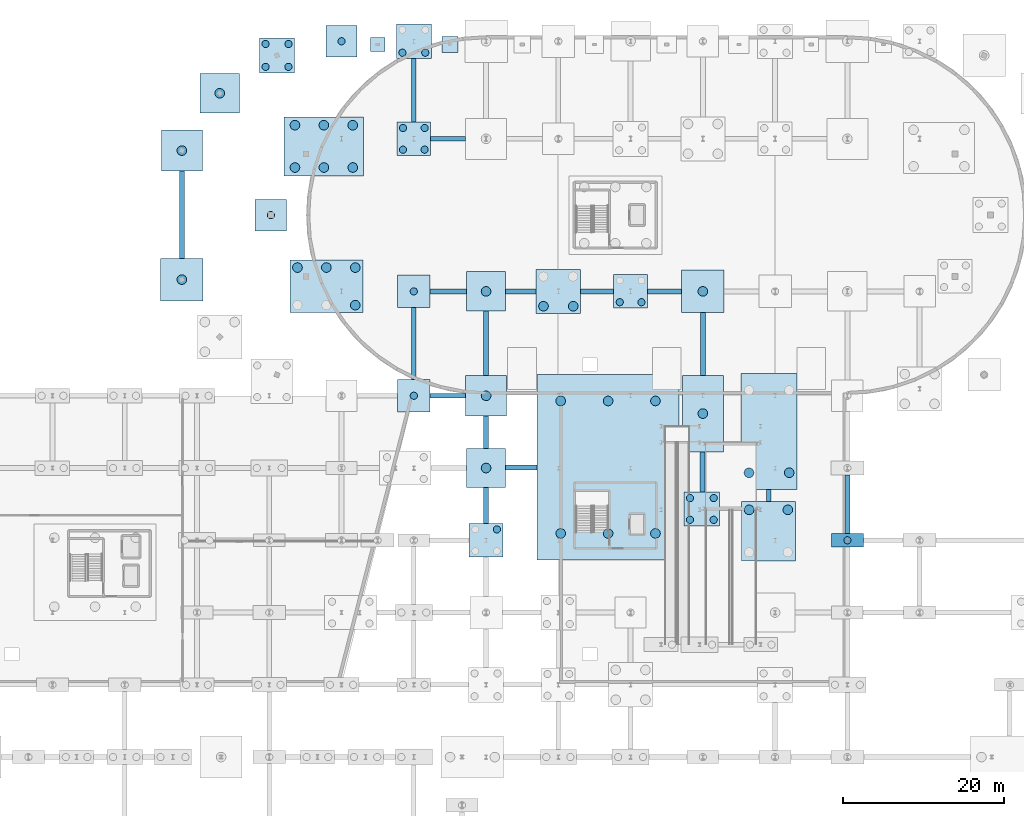
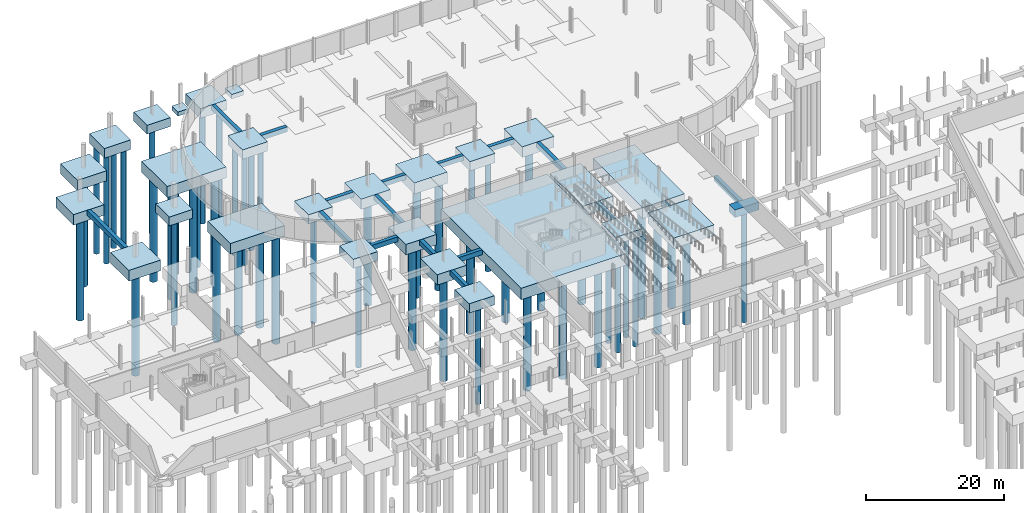
# One storey, part 5 of 42: 52 piles, 44 footings.
"""IFC4 building model written with IfcOpenShell, lengths in metres."""

from ifc_helpers import new_model, si_unit, direction, frame, origin, origin_2d, place, context, subcontext, project, spatial, rectangle, circle, extrude, material, material_profile, profile_set, type_object, element, save


model = new_model("IFC4")

# Units and contexts
model_context = context("Model", 3, precision=1e-05, world=origin(), true_north=direction((0.0, 1.0)))
body_context = subcontext(model_context, "Body", "Model", "MODEL_VIEW")
ifc_project = project(units=[si_unit("LENGTHUNIT", "METRE"), si_unit("AREAUNIT", "SQUARE_METRE"), si_unit("VOLUMEUNIT", "CUBIC_METRE"), si_unit("PLANEANGLEUNIT", "RADIAN"), si_unit("MASSUNIT", "GRAM", prefix="KILO")], contexts=[model_context])

# Site, building, storey
site_placement = place(None, origin())
site = spatial("IfcSite", under=ifc_project, at=site_placement, CompositionType="ELEMENT")
building_placement = place(site_placement, origin())
building = spatial("IfcBuilding", under=site, at=building_placement, Name="Deido Ridge Mobility Hub", CompositionType="ELEMENT")
storey_placement = place(building_placement, frame((0.0, 0.0, -4.199951171875)))
storey = spatial("IfcBuildingStorey", under=building, at=storey_placement, Name="B1", CompositionType="ELEMENT", Elevation=-4.199951171875)

# Footings
ifc_material = material(Name="Concrete C40/50", Category="concrete")
footing_type_1 = type_object("IfcFootingType", Name="FTG-PC-3900X3900X1550", PredefinedType="PILE_CAP", material=ifc_material)
for number, where, z_axis, x_axis, name in (
    (1, (45.0, 125.14990234375, -1.55029296875), (0.0, 0.0, 1.0), (1.0, 0.0, 0.0), "Pile cap PC12"),
    (2, (36.199951171875, 103.5, -1.55029296875), (0.0, 0.0, 1.0), (1.0, 0.0, 0.0), "Pile cap PC12"),
):
    element("IfcFooting", number, at=place(storey_placement, frame(where, z_axis=z_axis, x_axis=x_axis)), inside=storey, type_object=footing_type_1, Name=name, PredefinedType="PILE_CAP", context=body_context, shape_type="SweptSolid", body=[
        extrude(rectangle(XDim=3.89990234375, YDim=3.89990234375, at=origin_2d()), origin(), (0.0, 0.0, 1.0), 1.550048828125),
    ])
footing_type_2 = type_object("IfcFootingType", Name="FTG-PC-4000X1650X1350", PredefinedType="PILE_CAP", material=ifc_material)
footing_1_placement = place(storey_placement, frame((108.0, 63.0, -1.35009765625), z_axis=(0.0, 0.0, 1.0), x_axis=(1.0, 0.0, 0.0)))
element("IfcFooting", 3, at=footing_1_placement, inside=storey, type_object=footing_type_2, Name="Pile cap PC2", PredefinedType="PILE_CAP", context=body_context, shape_type="SweptSolid", body=[
    extrude(rectangle(XDim=4.0, YDim=1.64990234375, at=origin_2d()), origin(), (0.0, 0.0, 1.0), 1.35009765625),
])
footing_type_3 = type_object("IfcFootingType", Name="FTG-PC-4050X4050X1600", PredefinedType="PILE_CAP", material=ifc_material)
for number, where, z_axis, x_axis, name in (
    (4, (54.0, 81.0, -1.60009765625), (0.0, 0.0, 1.0), (1.0, 0.0, 0.0), "Pile cap PC13"),
    (5, (54.0, 94.0, -1.60009765625), (0.0, 0.0, 1.0), (1.0, 0.0, 0.0), "Pile cap PC13"),
):
    element("IfcFooting", number, at=place(storey_placement, frame(where, z_axis=z_axis, x_axis=x_axis)), inside=storey, type_object=footing_type_3, Name=name, PredefinedType="PILE_CAP", context=body_context, shape_type="SweptSolid", body=[
        extrude(rectangle(XDim=4.050048828125, YDim=4.050048828125, at=origin_2d()), origin(), (0.0, 0.0, 1.0), 1.60009765625),
    ])
footing_type_4 = type_object("IfcFootingType", Name="FTG-PC-4200X4200X1650", PredefinedType="PILE_CAP", material=ifc_material)
for number, where, z_axis, x_axis, name in (
    (6, (63.0, 63.0, -1.64990234375), (0.0, 0.0, 1.0), (1.0, 0.0, 0.0), "Pile cap PC14"),
    (7, (54.0, 113.0, -1.64990234375), (0.0, 0.0, 1.0), (1.0, 0.0, 0.0), "Pile cap PC14"),
    (8, (81.0, 94.0, -1.64990234375), (0.0, 0.0, 1.0), (1.0, 0.0, 0.0), "Pile cap PC14"),
):
    element("IfcFooting", number, at=place(storey_placement, frame(where, z_axis=z_axis, x_axis=x_axis)), inside=storey, type_object=footing_type_4, Name=name, PredefinedType="PILE_CAP", context=body_context, shape_type="SweptSolid", body=[
        extrude(rectangle(XDim=4.199951171875, YDim=4.199951171875, at=origin_2d()), origin(), (0.0, 0.0, 1.0), 1.64990234375),
    ])
footing_type_5 = type_object("IfcFootingType", Name="FTG-PC-4350X4350X1700", PredefinedType="PILE_CAP", material=ifc_material)
for number, where, z_axis, x_axis, name in (
    (9, (54.0, 125.14990234375, -1.7001953125), (0.0, 0.0, 1.0), (1.0, 0.0, 0.0), "Pile cap PC15"),
    (10, (36.964599609375, 123.38818359375, -1.7001953125), (0.0, 0.0, 1.0), (1.0, 0.0, 0.0), "Pile cap PC15"),
):
    element("IfcFooting", number, at=place(storey_placement, frame(where, z_axis=z_axis, x_axis=x_axis)), inside=storey, type_object=footing_type_5, Name=name, PredefinedType="PILE_CAP", context=body_context, shape_type="SweptSolid", body=[
        extrude(rectangle(XDim=4.35009765625, YDim=4.35009765625, at=origin_2d()), origin(), (0.0, 0.0, 1.0), 1.699951171875),
    ])
footing_type_6 = type_object("IfcFootingType", Name="FTG-PC-4450X4200X1300", PredefinedType="PILE_CAP", material=ifc_material)
footing_2_placement = place(storey_placement, frame((89.875, 66.89990234375, -1.30029296875), z_axis=(0.0, 0.0, 1.0), x_axis=(1.0, 0.0, 0.0)))
element("IfcFooting", 11, at=footing_2_placement, inside=storey, type_object=footing_type_6, Name="Pile cap PC20", PredefinedType="PILE_CAP", context=body_context, shape_type="SweptSolid", body=[
    extrude(rectangle(XDim=4.449951171875, YDim=4.199951171875, at=origin_2d()), origin(), (0.0, 0.0, 1.0), 1.300048828125),
])
footing_type_7 = type_object("IfcFootingType", Name="FTG-PC-4900X4900X1800", PredefinedType="PILE_CAP", material=ifc_material)
for number, where, z_axis, x_axis, name in (
    (12, (63.0, 72.0, -1.80029296875), (0.0, 0.0, 1.0), (1.0, 0.0, 0.0), "Pile cap PC17"),
    (13, (63.0, 94.0, -1.80029296875), (0.0, 0.0, 1.0), (1.0, 0.0, 0.0), "Pile cap PC17"),
    (14, (29.83251953125, 118.66748046875, -1.80029296875), (0.0, 0.0, 1.0), (1.0, 0.0, 0.0), "Pile cap PC17"),
):
    element("IfcFooting", number, at=place(storey_placement, frame(where, z_axis=z_axis, x_axis=x_axis)), inside=storey, type_object=footing_type_7, Name=name, PredefinedType="PILE_CAP", context=body_context, shape_type="SweptSolid", body=[
        extrude(rectangle(XDim=4.89990234375, YDim=4.89990234375, at=origin_2d()), origin(), (0.0, 0.0, 1.0), 1.800048828125),
    ])
footing_type_8 = type_object("IfcFootingType", Name="FTG-PC-5100X5100X1850", PredefinedType="PILE_CAP", material=ifc_material)
for number, where, z_axis, x_axis, name in (
    (15, (63.0, 81.0, -1.85009765625), (0.0, 0.0, 1.0), (1.0, 0.0, 0.0), "Pile cap PC22"),
    (16, (25.11181640625, 111.535400390625, -1.85009765625), (0.0, 0.0, 1.0), (1.0, 0.0, 0.0), "Pile cap PC22"),
):
    element("IfcFooting", number, at=place(storey_placement, frame(where, z_axis=z_axis, x_axis=x_axis)), inside=storey, type_object=footing_type_8, Name=name, PredefinedType="PILE_CAP", context=body_context, shape_type="SweptSolid", body=[
        extrude(rectangle(XDim=5.10009765625, YDim=5.10009765625, at=origin_2d()), origin(), (0.0, 0.0, 1.0), 1.85009765625),
    ])
footing_type_9 = type_object("IfcFootingType", Name="FTG-PC-5100X9537X1850", PredefinedType="PILE_CAP", material=ifc_material)
footing_3_placement = place(storey_placement, frame((90.0, 78.78125, -1.85009765625), z_axis=(0.0, 0.0, 1.0), x_axis=(1.0, 0.0, 0.0)))
element("IfcFooting", 17, at=footing_3_placement, inside=storey, type_object=footing_type_9, Name="Pile cap PC21", PredefinedType="PILE_CAP", context=body_context, shape_type="SweptSolid", body=[
    extrude(rectangle(XDim=5.10009765625, YDim=9.537109375, at=origin_2d()), origin(), (0.0, 0.0, 1.0), 1.85009765625),
])
footing_type_10 = type_object("IfcFootingType", Name="FTG-PC-5300X5300X1900", PredefinedType="PILE_CAP", material=ifc_material)
for number, where, z_axis, x_axis, name in (
    (18, (90.0, 94.0, -1.89990234375), (0.0, 0.0, 1.0), (1.0, 0.0, 0.0), "Pile cap PC25"),
    (19, (25.11181640625, 95.464599609375, -1.89990234375), (0.0, 0.0, 1.0), (1.0, 0.0, 0.0), "Pile cap PC25"),
):
    element("IfcFooting", number, at=place(storey_placement, frame(where, z_axis=z_axis, x_axis=x_axis)), inside=storey, type_object=footing_type_10, Name=name, PredefinedType="PILE_CAP", context=body_context, shape_type="SweptSolid", body=[
        extrude(rectangle(XDim=5.300048828125, YDim=5.300048828125, at=origin_2d()), origin(), (0.0, 0.0, 1.0), 1.89990234375),
    ])
footing_type_11 = type_object("IfcFootingType", Name="FTG-PC-5500X5500X1950", PredefinedType="PILE_CAP", material=ifc_material)
footing_4_placement = place(storey_placement, frame((72.0, 94.0, -1.9501953125), z_axis=(0.0, 0.0, 1.0), x_axis=(1.0, 0.0, 0.0)))
element("IfcFooting", 20, at=footing_4_placement, inside=storey, type_object=footing_type_11, Name="Pile cap PC16", PredefinedType="PILE_CAP", context=body_context, shape_type="SweptSolid", body=[
    extrude(rectangle(XDim=5.5, YDim=5.5, at=origin_2d()), origin(), (0.0, 0.0, 1.0), 1.949951171875),
])
footing_type_12 = type_object("IfcFootingType", Name="FTG-PC-6750X7400X1850", PredefinedType="PILE_CAP", material=ifc_material)
footing_5_placement = place(storey_placement, frame((98.175048828125, 64.14990234375, -1.85009765625), z_axis=(0.0, 0.0, 1.0), x_axis=(1.0, 0.0, 0.0)))
element("IfcFooting", 21, at=footing_5_placement, inside=storey, type_object=footing_type_12, Name="Pile cap PC18", PredefinedType="PILE_CAP", context=body_context, shape_type="SweptSolid", body=[
    extrude(rectangle(XDim=6.75, YDim=7.39990234375, at=origin_2d()), origin(), (0.0, 0.0, 1.0), 1.85009765625),
])
footing_type_13 = type_object("IfcFootingType", Name="FTG-PC-7000X14400X1950", PredefinedType="PILE_CAP", material=ifc_material)
footing_6_placement = place(storey_placement, frame((98.25, 76.550048828125, -1.9501953125), z_axis=(0.0, 0.0, 1.0), x_axis=(1.0, 0.0, 0.0)))
element("IfcFooting", 22, at=footing_6_placement, inside=storey, type_object=footing_type_13, Name="Pile cap PC19", PredefinedType="PILE_CAP", context=body_context, shape_type="SweptSolid", body=[
    extrude(rectangle(XDim=7.0, YDim=14.39990234375, at=origin_2d()), origin(), (0.0, 0.0, 1.0), 1.949951171875),
])
footing_type_14 = type_object("IfcFootingType", Name="FTG-PC-9075X6554X1900", PredefinedType="PILE_CAP", material=ifc_material)
footing_7_placement = place(storey_placement, frame((43.112548828125, 94.626953125, -1.89990234375), z_axis=(0.0, 0.0, 1.0), x_axis=(1.0, 0.0, 0.0)))
element("IfcFooting", 23, at=footing_7_placement, inside=storey, type_object=footing_type_14, Name="Pile cap PC23", PredefinedType="PILE_CAP", context=body_context, shape_type="SweptSolid", body=[
    extrude(rectangle(XDim=9.074951171875, YDim=6.553955078125, at=origin_2d()), origin(), (0.0, 0.0, 1.0), 1.89990234375),
])
footing_type_15 = type_object("IfcFootingType", Name="FTG-PC-9900X7379X1950", PredefinedType="PILE_CAP", material=ifc_material)
footing_8_placement = place(storey_placement, frame((42.800048828125, 112.060546875, -1.9501953125), z_axis=(0.0, 0.0, 1.0), x_axis=(1.0, 0.0, 0.0)))
element("IfcFooting", 24, at=footing_8_placement, inside=storey, type_object=footing_type_15, Name="Pile cap PC24", PredefinedType="PILE_CAP", context=body_context, shape_type="SweptSolid", body=[
    extrude(rectangle(XDim=9.89990234375, YDim=7.37890625, at=origin_2d()), origin(), (0.0, 0.0, 1.0), 1.949951171875),
])
footing_type_16 = type_object("IfcFootingType", Name="FTG-PC-C4", PredefinedType="PILE_CAP", material=ifc_material)
footing_9_placement = place(storey_placement, frame((78.199951171875, 72.10009765625, -2.05029296875), z_axis=(0.0, 0.0, 1.0), x_axis=(1.0, 0.0, 0.0)))
element("IfcFooting", 25, at=footing_9_placement, inside=storey, type_object=footing_type_16, Name="Pile cap PC-C4", PredefinedType="PILE_CAP", context=body_context, shape_type="SweptSolid", body=[
    extrude(rectangle(XDim=17.699951171875, YDim=23.10009765625, at=origin_2d()), origin(), (0.0, 0.0, 1.0), 2.050048828125),
])
footing_type_17 = type_object("IfcFootingType", Name="FTG-PF-1800X1800X700", PredefinedType="PAD_FOOTING", material=ifc_material)
footing_10_placement = place(storey_placement, frame((49.5, 124.75, -0.7001953125), z_axis=(0.0, 0.0, 1.0), x_axis=(1.0, 0.0, 0.0)))
element("IfcFooting", 26, at=footing_10_placement, inside=storey, type_object=footing_type_17, Name="Pad footing PF42", PredefinedType="PAD_FOOTING", context=body_context, shape_type="SweptSolid", body=[
    extrude(rectangle(XDim=1.800048828125, YDim=1.800048828125, at=origin_2d()), origin(), (0.0, 0.0, 1.0), 0.699951171875),
])
footing_type_18 = type_object("IfcFootingType", Name="FTG-PF-1950X1950X750", PredefinedType="PAD_FOOTING", material=ifc_material)
footing_11_placement = place(storey_placement, frame((58.5, 124.75, -0.75), z_axis=(0.0, 0.0, 1.0), x_axis=(1.0, 0.0, 0.0)))
element("IfcFooting", 27, at=footing_11_placement, inside=storey, type_object=footing_type_18, Name="Pad footing PF43", PredefinedType="PAD_FOOTING", context=body_context, shape_type="SweptSolid", body=[
    extrude(rectangle(XDim=1.949951171875, YDim=1.949951171875, at=origin_2d()), origin(), (0.0, 0.0, 1.0), 0.75),
])
ifc_material_profile_1 = material_profile(ifc_material, rectangle(XDim=0.60009765625, YDim=0.85009765625, at=origin_2d()), Name="RC GB 600x850")
ifc_profile_set_1 = profile_set([ifc_material_profile_1], Name="Concrete C40/50")
footing_type_19 = type_object("IfcFootingType", Name="GB-RC600X850", PredefinedType="FOOTING_BEAM", material=ifc_profile_set_1)
footing_12_placement = place(storey_placement, frame((65.449951171875, 72.050048828125, -0.425048828125), z_axis=(1.0, 0.0, 0.0), x_axis=(0.0, 1.0, 0.0)))
element("IfcFooting", 28, at=footing_12_placement, inside=storey, type_object=footing_type_19, Name="Ground beam GB1", PredefinedType="FOOTING_BEAM", context=body_context, shape_type="SweptSolid", body=[
    extrude(rectangle(XDim=0.60009765625, YDim=0.85009765625, at=origin_2d()), origin(), (0.0, 0.0, 1.0), 3.900146484375),
])
footing_13_placement = place(storey_placement, frame((56.02490234375, 81.0, -0.425048828125), z_axis=(1.0, 0.0, 0.0), x_axis=(0.0, 1.0, 0.0)))
element("IfcFooting", 29, at=footing_13_placement, inside=storey, type_object=footing_type_19, Name="Ground beam GB1", PredefinedType="FOOTING_BEAM", context=body_context, shape_type="SweptSolid", body=[
    extrude(rectangle(XDim=0.60009765625, YDim=0.85009765625, at=origin_2d()), origin(), (0.0, 0.0, 1.0), 4.425048828125),
])
footing_14_placement = place(storey_placement, frame((56.02490234375, 94.0, -0.425048828125), z_axis=(1.0, 0.0, 0.0), x_axis=(0.0, 1.0, 0.0)))
element("IfcFooting", 30, at=footing_14_placement, inside=storey, type_object=footing_type_19, Name="Ground beam GB1", PredefinedType="FOOTING_BEAM", context=body_context, shape_type="SweptSolid", body=[
    extrude(rectangle(XDim=0.60009765625, YDim=0.85009765625, at=origin_2d()), origin(), (0.0, 0.0, 1.0), 4.525146484375),
])
footing_15_placement = place(storey_placement, frame((65.449951171875, 94.0, -0.425048828125), z_axis=(1.0, 0.0, 0.0), x_axis=(0.0, 1.0, 0.0)))
element("IfcFooting", 31, at=footing_15_placement, inside=storey, type_object=footing_type_19, Name="Ground beam GB1", PredefinedType="FOOTING_BEAM", context=body_context, shape_type="SweptSolid", body=[
    extrude(rectangle(XDim=0.60009765625, YDim=0.85009765625, at=origin_2d()), origin(), (0.0, 0.0, 1.0), 3.800048828125),
])
footing_16_placement = place(storey_placement, frame((74.75, 94.0, -0.425048828125), z_axis=(1.0, 0.0, 0.0), x_axis=(0.0, 1.0, 0.0)))
element("IfcFooting", 32, at=footing_16_placement, inside=storey, type_object=footing_type_19, Name="Ground beam GB1", PredefinedType="FOOTING_BEAM", context=body_context, shape_type="SweptSolid", body=[
    extrude(rectangle(XDim=0.60009765625, YDim=0.85009765625, at=origin_2d()), origin(), (0.0, 0.0, 1.0), 4.14990234375),
])
footing_17_placement = place(storey_placement, frame((83.10009765625, 94.0, -0.425048828125), z_axis=(1.0, 0.0, 0.0), x_axis=(0.0, 1.0, 0.0)))
element("IfcFooting", 33, at=footing_17_placement, inside=storey, type_object=footing_type_19, Name="Ground beam GB1", PredefinedType="FOOTING_BEAM", context=body_context, shape_type="SweptSolid", body=[
    extrude(rectangle(XDim=0.60009765625, YDim=0.85009765625, at=origin_2d()), origin(), (0.0, 0.0, 1.0), 4.25),
])
footing_18_placement = place(storey_placement, frame((56.10009765625, 113.0, -0.425048828125), z_axis=(1.0, 0.0, 0.0), x_axis=(0.0, 1.0, 0.0)))
element("IfcFooting", 34, at=footing_18_placement, inside=storey, type_object=footing_type_19, Name="Ground beam GB1", PredefinedType="FOOTING_BEAM", context=body_context, shape_type="SweptSolid", body=[
    extrude(rectangle(XDim=0.60009765625, YDim=0.85009765625, at=origin_2d()), origin(), (0.0, 0.0, 1.0), 4.349853515625),
])
footing_19_placement = place(storey_placement, frame((54.0, 83.02490234375, -0.425048828125), z_axis=(0.0, 1.0, 0.0), x_axis=(-1.0, 0.0, 0.0)))
element("IfcFooting", 35, at=footing_19_placement, inside=storey, type_object=footing_type_19, Name="Ground beam GB1", PredefinedType="FOOTING_BEAM", context=body_context, shape_type="SweptSolid", body=[
    extrude(rectangle(XDim=0.60009765625, YDim=0.85009765625, at=origin_2d()), origin(), (0.0, 0.0, 1.0), 8.9501953125),
])
footing_20_placement = place(storey_placement, frame((54.0, 115.10009765625, -0.425048828125), z_axis=(0.0, 1.0, 0.0), x_axis=(-1.0, 0.0, 0.0)))
element("IfcFooting", 36, at=footing_20_placement, inside=storey, type_object=footing_type_19, Name="Ground beam GB1", PredefinedType="FOOTING_BEAM", context=body_context, shape_type="SweptSolid", body=[
    extrude(rectangle(XDim=0.60009765625, YDim=0.85009765625, at=origin_2d()), origin(), (0.0, 0.0, 1.0), 7.875),
])
footing_21_placement = place(storey_placement, frame((98.21240234375, 67.85009765625, -0.425048828125), z_axis=(0.0, 1.0, 0.0), x_axis=(-1.0, 0.0, 0.0)))
element("IfcFooting", 37, at=footing_21_placement, inside=storey, type_object=footing_type_19, Name="Ground beam GB1", PredefinedType="FOOTING_BEAM", context=body_context, shape_type="SweptSolid", body=[
    extrude(rectangle(XDim=0.60009765625, YDim=0.85009765625, at=origin_2d()), origin(), (0.0, 0.0, 1.0), 1.5),
])
footing_22_placement = place(storey_placement, frame((108.0, 63.824951171875, -0.425048828125), z_axis=(0.0, 1.0, 0.0), x_axis=(-1.0, 0.0, 0.0)))
element("IfcFooting", 38, at=footing_22_placement, inside=storey, type_object=footing_type_19, Name="Ground beam GB1", PredefinedType="FOOTING_BEAM", context=body_context, shape_type="SweptSolid", body=[
    extrude(rectangle(XDim=0.60009765625, YDim=0.85009765625, at=origin_2d()), origin(), (0.0, 0.0, 1.0), 7.324951171875),
])
footing_23_placement = place(storey_placement, frame((89.9375, 69.0, -0.425048828125), z_axis=(0.0, 1.0, 0.0), x_axis=(-1.0, 0.0, 0.0)))
element("IfcFooting", 39, at=footing_23_placement, inside=storey, type_object=footing_type_19, Name="Ground beam GB1", PredefinedType="FOOTING_BEAM", context=body_context, shape_type="SweptSolid", body=[
    extrude(rectangle(XDim=0.60009765625, YDim=0.85009765625, at=origin_2d()), origin(), (0.0, 0.0, 1.0), 5.0126953125),
])
footing_24_placement = place(storey_placement, frame((90.0, 83.5498046875, -0.425048828125), z_axis=(0.0, 1.0, 0.0), x_axis=(-1.0, 0.0, 0.0)))
element("IfcFooting", 40, at=footing_24_placement, inside=storey, type_object=footing_type_19, Name="Ground beam GB1", PredefinedType="FOOTING_BEAM", context=body_context, shape_type="SweptSolid", body=[
    extrude(rectangle(XDim=0.60009765625, YDim=0.85009765625, at=origin_2d()), origin(), (0.0, 0.0, 1.0), 7.80029296875),
])
footing_25_placement = place(storey_placement, frame((63.0, 65.10009765625, -0.425048828125), z_axis=(0.0, 1.0, 0.0), x_axis=(-1.0, 0.0, 0.0)))
element("IfcFooting", 41, at=footing_25_placement, inside=storey, type_object=footing_type_19, Name="Ground beam GB1", PredefinedType="FOOTING_BEAM", context=body_context, shape_type="SweptSolid", body=[
    extrude(rectangle(XDim=0.60009765625, YDim=0.85009765625, at=origin_2d()), origin(), (0.0, 0.0, 1.0), 4.449951171875),
])
footing_26_placement = place(storey_placement, frame((63.0, 74.449951171875, -0.425048828125), z_axis=(0.0, 1.0, 0.0), x_axis=(-1.0, 0.0, 0.0)))
element("IfcFooting", 42, at=footing_26_placement, inside=storey, type_object=footing_type_19, Name="Ground beam GB1", PredefinedType="FOOTING_BEAM", context=body_context, shape_type="SweptSolid", body=[
    extrude(rectangle(XDim=0.60009765625, YDim=0.85009765625, at=origin_2d()), origin(), (0.0, 0.0, 1.0), 4.0),
])
footing_27_placement = place(storey_placement, frame((63.0, 83.550048828125, -0.425048828125), z_axis=(0.0, 1.0, 0.0), x_axis=(-1.0, 0.0, 0.0)))
element("IfcFooting", 43, at=footing_27_placement, inside=storey, type_object=footing_type_19, Name="Ground beam GB1", PredefinedType="FOOTING_BEAM", context=body_context, shape_type="SweptSolid", body=[
    extrude(rectangle(XDim=0.60009765625, YDim=0.85009765625, at=origin_2d()), origin(), (0.0, 0.0, 1.0), 8.0),
])
footing_28_placement = place(storey_placement, frame((25.11181640625, 98.11474609375, -0.425048828125), z_axis=(0.0, 1.0, 0.0), x_axis=(-1.0, 0.0, 0.0)))
element("IfcFooting", 44, at=footing_28_placement, inside=storey, type_object=footing_type_19, Name="Ground beam GB1", PredefinedType="FOOTING_BEAM", context=body_context, shape_type="SweptSolid", body=[
    extrude(rectangle(XDim=0.60009765625, YDim=0.85009765625, at=origin_2d()), origin(), (0.0, 0.0, 1.0), 10.87060546875),
])

# Piles
ifc_material_profile_2 = material_profile(ifc_material, circle(Radius=0.60009765625, at=origin_2d()), Name="BORED PILE D1200")
ifc_profile_set_2 = profile_set([ifc_material_profile_2], Name="Concrete C40/50")
pile_type_1 = type_object("IfcPileType", Name="PILE-BORED-D1200", PredefinedType="BORED", material=ifc_profile_set_2)
for number, where, z_axis, x_axis, name in (
    (45, (72.300048828125, 63.85009765625, -1.900146484375), (0.0, 0.0, -1.0), (1.0, 0.0, 0.0), "Bored pile P2"),
    (46, (78.199951171875, 63.85009765625, -1.900146484375), (0.0, 0.0, -1.0), (1.0, 0.0, 0.0), "Bored pile P2"),
    (47, (84.10009765625, 63.85009765625, -1.900146484375), (0.0, 0.0, -1.0), (1.0, 0.0, 0.0), "Bored pile P2"),
    (48, (72.300048828125, 80.35009765625, -1.900146484375), (0.0, 0.0, -1.0), (1.0, 0.0, 0.0), "Bored pile P2"),
    (49, (78.199951171875, 80.35009765625, -1.900146484375), (0.0, 0.0, -1.0), (1.0, 0.0, 0.0), "Bored pile P2"),
    (50, (84.10009765625, 80.35009765625, -1.900146484375), (0.0, 0.0, -1.0), (1.0, 0.0, 0.0), "Bored pile P2"),
):
    element("IfcPile", number, at=place(storey_placement, frame(where, z_axis=z_axis, x_axis=x_axis)), inside=storey, type_object=pile_type_1, Name=name, PredefinedType="BORED", context=body_context, shape_type="SweptSolid", body=[
        extrude(circle(Radius=0.60009765625, at=origin_2d()), origin(), (0.0, 0.0, 1.0), 18.89990234375),
    ])
for number, where, z_axis, x_axis, name in (
    (51, (95.764404296875, 66.79296875, -1.699951171875), (0.0, 0.0, -1.0), (1.0, 0.0, 0.0), "Bored pile P2"),
    (52, (100.585693359375, 66.79296875, -1.699951171875), (0.0, 0.0, -1.0), (1.0, 0.0, 0.0), "Bored pile P2"),
):
    element("IfcPile", number, at=place(storey_placement, frame(where, z_axis=z_axis, x_axis=x_axis)), inside=storey, type_object=pile_type_1, Name=name, PredefinedType="BORED", context=body_context, shape_type="SweptSolid", body=[
        extrude(circle(Radius=0.60009765625, at=origin_2d()), origin(), (0.0, 0.0, 1.0), 19.10009765625),
    ])
for number, where, z_axis, x_axis, name in (
    (53, (95.75, 71.406982421875, -1.800048828125), (0.0, 0.0, -1.0), (1.0, 0.0, 0.0), "Bored pile P2"),
    (54, (100.75, 71.406982421875, -1.800048828125), (0.0, 0.0, -1.0), (1.0, 0.0, 0.0), "Bored pile P2"),
):
    element("IfcPile", number, at=place(storey_placement, frame(where, z_axis=z_axis, x_axis=x_axis)), inside=storey, type_object=pile_type_1, Name=name, PredefinedType="BORED", context=body_context, shape_type="SweptSolid", body=[
        extrude(circle(Radius=0.60009765625, at=origin_2d()), origin(), (0.0, 0.0, 1.0), 19.0),
    ])
pile_1_placement = place(storey_placement, frame((90.0, 78.78125, -1.699951171875), z_axis=(0.0, 0.0, -1.0), x_axis=(1.0, 0.0, 0.0)))
element("IfcPile", 55, at=pile_1_placement, inside=storey, type_object=pile_type_1, Name="Bored pile P2", PredefinedType="BORED", context=body_context, shape_type="SweptSolid", body=[
    extrude(circle(Radius=0.60009765625, at=origin_2d()), origin(), (0.0, 0.0, 1.0), 19.10009765625),
])
pile_2_placement = place(storey_placement, frame((63.0, 72.0, -1.650146484375), z_axis=(0.0, 0.0, -1.0), x_axis=(1.0, 0.0, 0.0)))
element("IfcPile", 56, at=pile_2_placement, inside=storey, type_object=pile_type_1, Name="Bored pile P2", PredefinedType="BORED", context=body_context, shape_type="SweptSolid", body=[
    extrude(circle(Radius=0.60009765625, at=origin_2d()), origin(), (0.0, 0.0, 1.0), 19.14990234375),
])
pile_3_placement = place(storey_placement, frame((63.0, 81.0, -1.699951171875), z_axis=(0.0, 0.0, -1.0), x_axis=(1.0, 0.0, 0.0)))
element("IfcPile", 57, at=pile_3_placement, inside=storey, type_object=pile_type_1, Name="Bored pile P2", PredefinedType="BORED", context=body_context, shape_type="SweptSolid", body=[
    extrude(circle(Radius=0.60009765625, at=origin_2d()), origin(), (0.0, 0.0, 1.0), 19.10009765625),
])
for number, where, z_axis, x_axis, name in (
    (58, (46.71240234375, 92.286376953125, -1.75), (0.0, 0.0, -1.0), (1.0, 0.0, 0.0), "Bored pile P2"),
    (59, (39.512451171875, 96.9677734375, -1.75), (0.0, 0.0, -1.0), (1.0, 0.0, 0.0), "Bored pile P2"),
    (60, (43.112548828125, 96.9677734375, -1.75), (0.0, 0.0, -1.0), (1.0, 0.0, 0.0), "Bored pile P2"),
    (61, (46.71240234375, 96.9677734375, -1.75), (0.0, 0.0, -1.0), (1.0, 0.0, 0.0), "Bored pile P2"),
):
    element("IfcPile", number, at=place(storey_placement, frame(where, z_axis=z_axis, x_axis=x_axis)), inside=storey, type_object=pile_type_1, Name=name, PredefinedType="BORED", context=body_context, shape_type="SweptSolid", body=[
        extrude(circle(Radius=0.60009765625, at=origin_2d()), origin(), (0.0, 0.0, 1.0), 19.050048828125),
    ])
for number, where, z_axis, x_axis, name in (
    (62, (39.199951171875, 109.425048828125, -1.800048828125), (0.0, 0.0, -1.0), (1.0, 0.0, 0.0), "Bored pile P2"),
    (63, (42.800048828125, 109.425048828125, -1.800048828125), (0.0, 0.0, -1.0), (1.0, 0.0, 0.0), "Bored pile P2"),
    (64, (46.39990234375, 109.425048828125, -1.800048828125), (0.0, 0.0, -1.0), (1.0, 0.0, 0.0), "Bored pile P2"),
    (65, (39.199951171875, 114.69580078125, -1.800048828125), (0.0, 0.0, -1.0), (1.0, 0.0, 0.0), "Bored pile P2"),
    (66, (42.800048828125, 114.69580078125, -1.800048828125), (0.0, 0.0, -1.0), (1.0, 0.0, 0.0), "Bored pile P2"),
    (67, (46.39990234375, 114.69580078125, -1.800048828125), (0.0, 0.0, -1.0), (1.0, 0.0, 0.0), "Bored pile P2"),
):
    element("IfcPile", number, at=place(storey_placement, frame(where, z_axis=z_axis, x_axis=x_axis)), inside=storey, type_object=pile_type_1, Name=name, PredefinedType="BORED", context=body_context, shape_type="SweptSolid", body=[
        extrude(circle(Radius=0.60009765625, at=origin_2d()), origin(), (0.0, 0.0, 1.0), 19.0),
    ])
pile_4_placement = place(storey_placement, frame((63.0, 94.0, -1.650146484375), z_axis=(0.0, 0.0, -1.0), x_axis=(1.0, 0.0, 0.0)))
element("IfcPile", 68, at=pile_4_placement, inside=storey, type_object=pile_type_1, Name="Bored pile P2", PredefinedType="BORED", context=body_context, shape_type="SweptSolid", body=[
    extrude(circle(Radius=0.60009765625, at=origin_2d()), origin(), (0.0, 0.0, 1.0), 19.14990234375),
])
for number, where, z_axis, x_axis, name in (
    (69, (70.14990234375, 92.14990234375, -1.800048828125), (0.0, 0.0, -1.0), (1.0, 0.0, 0.0), "Bored pile P2"),
    (70, (73.85009765625, 92.14990234375, -1.800048828125), (0.0, 0.0, -1.0), (1.0, 0.0, 0.0), "Bored pile P2"),
):
    element("IfcPile", number, at=place(storey_placement, frame(where, z_axis=z_axis, x_axis=x_axis)), inside=storey, type_object=pile_type_1, Name=name, PredefinedType="BORED", context=body_context, shape_type="SweptSolid", body=[
        extrude(circle(Radius=0.60009765625, at=origin_2d()), origin(), (0.0, 0.0, 1.0), 19.0),
    ])
pile_5_placement = place(storey_placement, frame((90.0, 94.0, -1.75), z_axis=(0.0, 0.0, -1.0), x_axis=(1.0, 0.0, 0.0)))
element("IfcPile", 71, at=pile_5_placement, inside=storey, type_object=pile_type_1, Name="Bored pile P2", PredefinedType="BORED", context=body_context, shape_type="SweptSolid", body=[
    extrude(circle(Radius=0.60009765625, at=origin_2d()), origin(), (0.0, 0.0, 1.0), 19.050048828125),
])
pile_6_placement = place(storey_placement, frame((29.83251953125, 118.66748046875, -1.650146484375), z_axis=(0.0, 0.0, -1.0), x_axis=(1.0, 0.0, 0.0)))
element("IfcPile", 72, at=pile_6_placement, inside=storey, type_object=pile_type_1, Name="Bored pile P2", PredefinedType="BORED", context=body_context, shape_type="SweptSolid", body=[
    extrude(circle(Radius=0.60009765625, at=origin_2d()), origin(), (0.0, 0.0, 1.0), 19.14990234375),
])
pile_7_placement = place(storey_placement, frame((25.11181640625, 111.535400390625, -1.699951171875), z_axis=(0.0, 0.0, -1.0), x_axis=(1.0, 0.0, 0.0)))
element("IfcPile", 73, at=pile_7_placement, inside=storey, type_object=pile_type_1, Name="Bored pile P2", PredefinedType="BORED", context=body_context, shape_type="SweptSolid", body=[
    extrude(circle(Radius=0.60009765625, at=origin_2d()), origin(), (0.0, 0.0, 1.0), 19.10009765625),
])
pile_8_placement = place(storey_placement, frame((25.11181640625, 95.464599609375, -1.75), z_axis=(0.0, 0.0, -1.0), x_axis=(1.0, 0.0, 0.0)))
element("IfcPile", 74, at=pile_8_placement, inside=storey, type_object=pile_type_1, Name="Bored pile P2", PredefinedType="BORED", context=body_context, shape_type="SweptSolid", body=[
    extrude(circle(Radius=0.60009765625, at=origin_2d()), origin(), (0.0, 0.0, 1.0), 19.050048828125),
])
ifc_material_profile_3 = material_profile(ifc_material, circle(Radius=0.449951171875, at=origin_2d()), Name="BORED PILE D900")
ifc_profile_set_3 = profile_set([ifc_material_profile_3], Name="Concrete C40/50")
pile_type_2 = type_object("IfcPileType", Name="PILE-BORED-D900", PredefinedType="BORED", material=ifc_profile_set_3)
pile_9_placement = place(storey_placement, frame((54.0, 81.0, -1.449951171875), z_axis=(0.0, 0.0, -1.0), x_axis=(1.0, 0.0, 0.0)))
element("IfcPile", 75, at=pile_9_placement, inside=storey, type_object=pile_type_2, Name="Bored pile P1", PredefinedType="BORED", context=body_context, shape_type="SweptSolid", body=[
    extrude(circle(Radius=0.449951171875, at=origin_2d()), origin(), (0.0, 0.0, 1.0), 19.35009765625),
])
pile_10_placement = place(storey_placement, frame((108.0, 63.0, -1.199951171875), z_axis=(0.0, 0.0, -1.0), x_axis=(1.0, 0.0, 0.0)))
element("IfcPile", 76, at=pile_10_placement, inside=storey, type_object=pile_type_2, Name="Bored pile P1", PredefinedType="BORED", context=body_context, shape_type="SweptSolid", body=[
    extrude(circle(Radius=0.449951171875, at=origin_2d()), origin(), (0.0, 0.0, 1.0), 19.60009765625),
])
for number, where, z_axis, x_axis, name in (
    (77, (88.39990234375, 65.550048828125, -1.150146484375), (0.0, 0.0, -1.0), (1.0, 0.0, 0.0), "Bored pile P1"),
    (78, (91.35009765625, 65.550048828125, -1.150146484375), (0.0, 0.0, -1.0), (1.0, 0.0, 0.0), "Bored pile P1"),
    (79, (88.39990234375, 68.25, -1.150146484375), (0.0, 0.0, -1.0), (1.0, 0.0, 0.0), "Bored pile P1"),
    (80, (91.35009765625, 68.25, -1.150146484375), (0.0, 0.0, -1.0), (1.0, 0.0, 0.0), "Bored pile P1"),
):
    element("IfcPile", number, at=place(storey_placement, frame(where, z_axis=z_axis, x_axis=x_axis)), inside=storey, type_object=pile_type_2, Name=name, PredefinedType="BORED", context=body_context, shape_type="SweptSolid", body=[
        extrude(circle(Radius=0.449951171875, at=origin_2d()), origin(), (0.0, 0.0, 1.0), 19.64990234375),
    ])
pile_11_placement = place(storey_placement, frame((64.35009765625, 64.35009765625, -1.5), z_axis=(0.0, 0.0, -1.0), x_axis=(1.0, 0.0, 0.0)))
element("IfcPile", 81, at=pile_11_placement, inside=storey, type_object=pile_type_2, Name="Bored pile P1", PredefinedType="BORED", context=body_context, shape_type="SweptSolid", body=[
    extrude(circle(Radius=0.449951171875, at=origin_2d()), origin(), (0.0, 0.0, 1.0), 19.300048828125),
])
pile_12_placement = place(storey_placement, frame((45.0, 125.14990234375, -1.400146484375), z_axis=(0.0, 0.0, -1.0), x_axis=(1.0, 0.0, 0.0)))
element("IfcPile", 82, at=pile_12_placement, inside=storey, type_object=pile_type_2, Name="Bored pile P1", PredefinedType="BORED", context=body_context, shape_type="SweptSolid", body=[
    extrude(circle(Radius=0.449951171875, at=origin_2d()), origin(), (0.0, 0.0, 1.0), 19.39990234375),
])
pile_13_placement = place(storey_placement, frame((54.0, 94.0, -1.449951171875), z_axis=(0.0, 0.0, -1.0), x_axis=(1.0, 0.0, 0.0)))
element("IfcPile", 83, at=pile_13_placement, inside=storey, type_object=pile_type_2, Name="Bored pile P1", PredefinedType="BORED", context=body_context, shape_type="SweptSolid", body=[
    extrude(circle(Radius=0.449951171875, at=origin_2d()), origin(), (0.0, 0.0, 1.0), 19.35009765625),
])
for number, where, z_axis, x_axis, name in (
    (84, (52.64990234375, 111.64990234375, -1.5), (0.0, 0.0, -1.0), (1.0, 0.0, 0.0), "Bored pile P1"),
    (85, (55.35009765625, 111.64990234375, -1.5), (0.0, 0.0, -1.0), (1.0, 0.0, 0.0), "Bored pile P1"),
    (86, (52.64990234375, 114.35009765625, -1.5), (0.0, 0.0, -1.0), (1.0, 0.0, 0.0), "Bored pile P1"),
    (87, (55.35009765625, 114.35009765625, -1.5), (0.0, 0.0, -1.0), (1.0, 0.0, 0.0), "Bored pile P1"),
):
    element("IfcPile", number, at=place(storey_placement, frame(where, z_axis=z_axis, x_axis=x_axis)), inside=storey, type_object=pile_type_2, Name=name, PredefinedType="BORED", context=body_context, shape_type="SweptSolid", body=[
        extrude(circle(Radius=0.449951171875, at=origin_2d()), origin(), (0.0, 0.0, 1.0), 19.300048828125),
    ])
for number, where, z_axis, x_axis, name in (
    (88, (52.574951171875, 123.72509765625, -1.550048828125), (0.0, 0.0, -1.0), (1.0, 0.0, 0.0), "Bored pile P1"),
    (89, (55.425048828125, 123.72509765625, -1.550048828125), (0.0, 0.0, -1.0), (1.0, 0.0, 0.0), "Bored pile P1"),
):
    element("IfcPile", number, at=place(storey_placement, frame(where, z_axis=z_axis, x_axis=x_axis)), inside=storey, type_object=pile_type_2, Name=name, PredefinedType="BORED", context=body_context, shape_type="SweptSolid", body=[
        extrude(circle(Radius=0.449951171875, at=origin_2d()), origin(), (0.0, 0.0, 1.0), 19.25),
    ])
for number, where, z_axis, x_axis, name in (
    (90, (79.64990234375, 92.64990234375, -1.5), (0.0, 0.0, -1.0), (1.0, 0.0, 0.0), "Bored pile P1"),
    (91, (82.35009765625, 92.64990234375, -1.5), (0.0, 0.0, -1.0), (1.0, 0.0, 0.0), "Bored pile P1"),
):
    element("IfcPile", number, at=place(storey_placement, frame(where, z_axis=z_axis, x_axis=x_axis)), inside=storey, type_object=pile_type_2, Name=name, PredefinedType="BORED", context=body_context, shape_type="SweptSolid", body=[
        extrude(circle(Radius=0.449951171875, at=origin_2d()), origin(), (0.0, 0.0, 1.0), 19.300048828125),
    ])
for number, where, z_axis, x_axis, name in (
    (92, (35.539794921875, 121.963134765625, -1.550048828125), (0.0, 0.0, -1.0), (1.0, 0.0, 0.0), "Bored pile P1"),
    (93, (38.3896484375, 121.963134765625, -1.550048828125), (0.0, 0.0, -1.0), (1.0, 0.0, 0.0), "Bored pile P1"),
    (94, (35.539794921875, 124.81298828125, -1.550048828125), (0.0, 0.0, -1.0), (1.0, 0.0, 0.0), "Bored pile P1"),
    (95, (38.3896484375, 124.81298828125, -1.550048828125), (0.0, 0.0, -1.0), (1.0, 0.0, 0.0), "Bored pile P1"),
):
    element("IfcPile", number, at=place(storey_placement, frame(where, z_axis=z_axis, x_axis=x_axis)), inside=storey, type_object=pile_type_2, Name=name, PredefinedType="BORED", context=body_context, shape_type="SweptSolid", body=[
        extrude(circle(Radius=0.449951171875, at=origin_2d()), origin(), (0.0, 0.0, 1.0), 19.25),
    ])
pile_14_placement = place(storey_placement, frame((36.199951171875, 103.5, -1.400146484375), z_axis=(0.0, 0.0, -1.0), x_axis=(1.0, 0.0, 0.0)))
element("IfcPile", 96, at=pile_14_placement, inside=storey, type_object=pile_type_2, Name="Bored pile P1", PredefinedType="BORED", context=body_context, shape_type="SweptSolid", body=[
    extrude(circle(Radius=0.449951171875, at=origin_2d()), origin(), (0.0, 0.0, 1.0), 19.39990234375),
])

save(model, "model.ifc")
